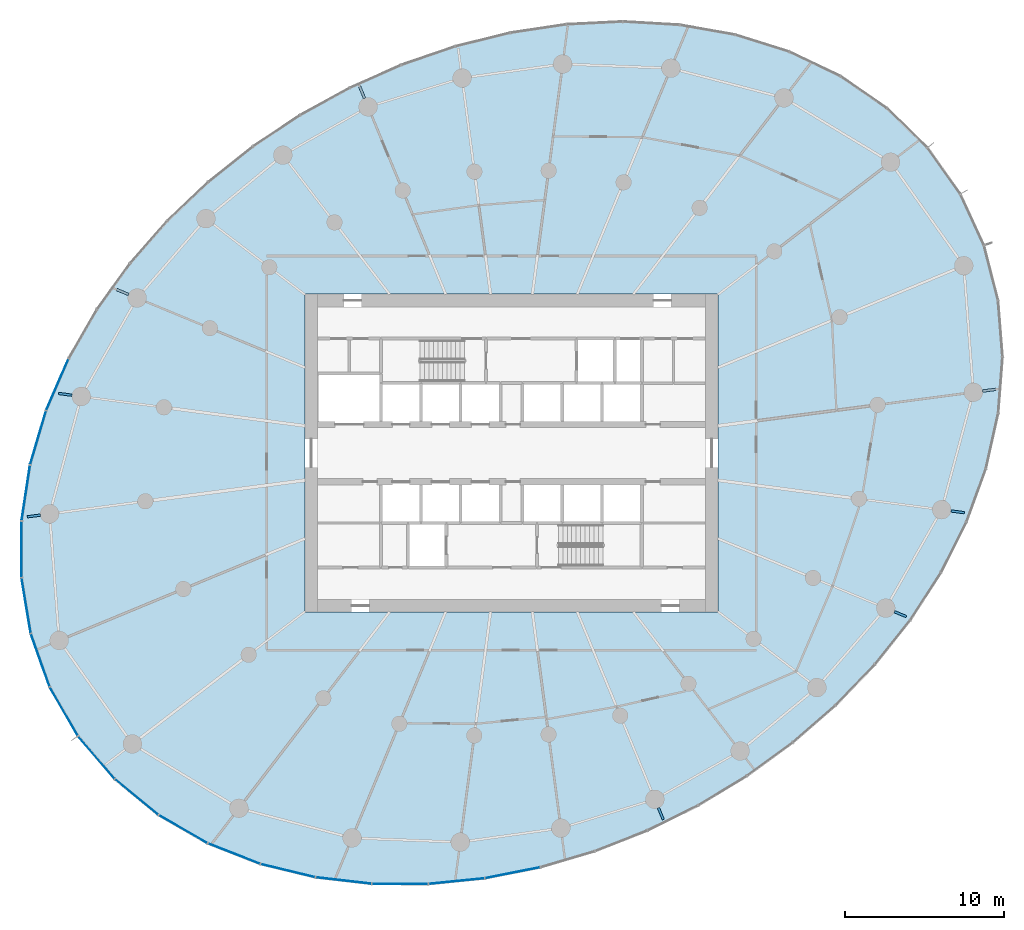
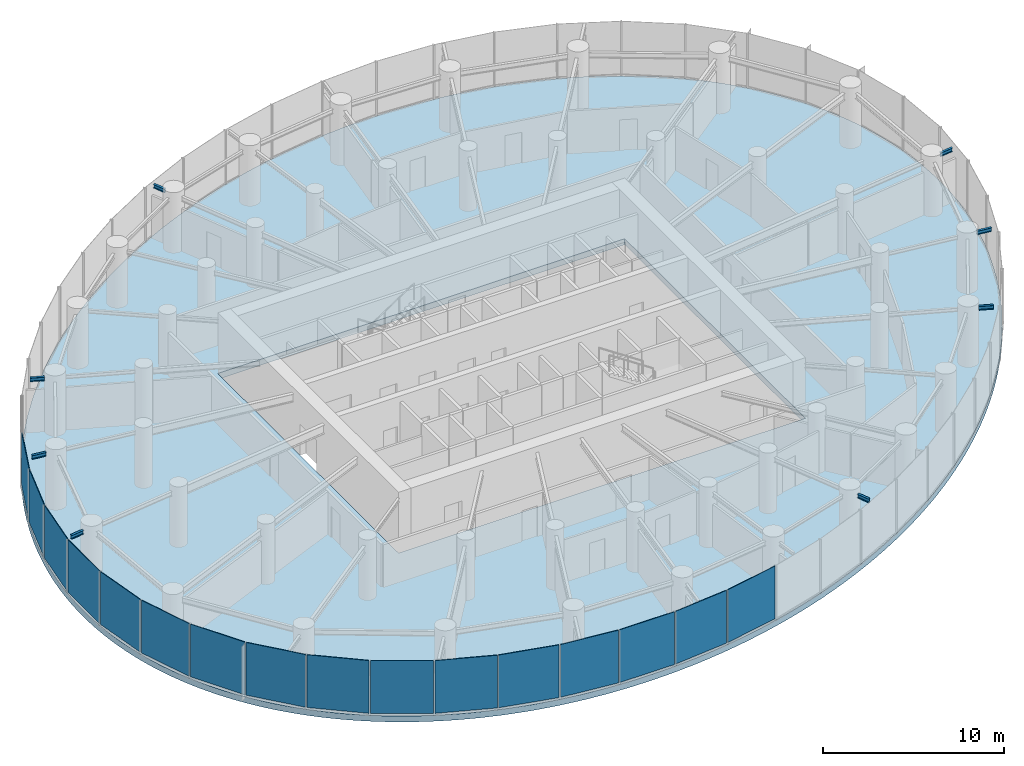
# One storey, part 8 of 17: 16 plates, 8 beams, 1 slab, 3 elements without a shape of their own.
"""IFC4 building model written with IfcOpenShell, lengths in metres."""

from ifc_helpers import new_model, si_unit, direction, frame, origin, origin_2d, place, context, subcontext, project, spatial, line, indexed_curve, rectangle, i_section, outline, extrude, source, transform, mapped, material, layer, layer_set, material_profile, profile_set, type_object, element, aggregate, save


model = new_model("IFC4")

# Units and contexts
model_context = context("Model", 3, precision=1e-05, world=origin(), true_north=direction((0.0, 1.0)))
body_context = subcontext(model_context, "Body", "Model", "MODEL_VIEW")
ifc_project = project(units=[si_unit("LENGTHUNIT", "METRE"), si_unit("AREAUNIT", "SQUARE_METRE"), si_unit("VOLUMEUNIT", "CUBIC_METRE"), si_unit("PLANEANGLEUNIT", "RADIAN"), si_unit("MASSUNIT", "GRAM", prefix="KILO")], contexts=[model_context])

# Site, building, storey
site_placement = place(None, origin())
site = spatial("IfcSite", under=ifc_project, at=site_placement, CompositionType="ELEMENT")
building_placement = place(site_placement, origin())
building = spatial("IfcBuilding", under=site, at=building_placement, Name="Spindrift Exchange Tower", CompositionType="ELEMENT")
storey_placement = place(building_placement, frame((0.0, 0.0, 120.800048828125)))
storey = spatial("IfcBuildingStorey", under=building, at=storey_placement, Name="L28", CompositionType="ELEMENT", Elevation=120.800048828125)

# Beams
ifc_material_1 = material(Name="Steel Grade 300", Category="steel")
ifc_material_profile = material_profile(ifc_material_1, i_section(OverallWidth=0.14599609375, OverallDepth=0.251953125, WebThickness=0.006103515625, FlangeThickness=0.008544921875, FilletRadius=0.011962890625, at=origin_2d()), Name="250UB31.4")
ifc_profile_set = profile_set([ifc_material_profile], Name="Steel Grade 300")
beam_type = type_object("IfcBeamType", Name="Cantilever Beam 250UB31.4 Steel Grade 300", PredefinedType="BEAM", material=ifc_profile_set)
shared_shape_1 = source(origin(), body_context, "Body", "SweptSolid", [
    extrude(i_section(OverallWidth=0.14599609375, OverallDepth=0.251953125, WebThickness=0.006103515625, FlangeThickness=0.008544921875, FilletRadius=0.011962890625, at=origin_2d()), origin(), (0.0, 0.0, 1.0), 0.83642578125),
])
for number, where, z_axis, x_axis, name in (
    (1, (81.63134765625, 51.90087890625, 3.573974609375), (0.991415510632, 0.130748939877, 0.0), (-0.130748939877, 0.991415510632, 0.0), "L28 cantilever beam R01T"),
    (2, (22.36865234375, 44.09912109375, 3.573974609375), (-0.991415510632, -0.130748939877, 0.0), (0.130748939877, -0.991415510632, 0.0), "L28 cantilever beam R13T"),
):
    element("IfcBeam", number, at=place(storey_placement, frame(where, z_axis=z_axis, x_axis=x_axis)), inside=storey, type_object=beam_type, Name=name, PredefinedType="BEAM", context=body_context, shape_type="MappedRepresentation", body=[
        mapped(shared_shape_1, transform((0.0, 0.0, 0.0), scale=1.0)),
    ])
shared_shape_2 = source(origin(), body_context, "Body", "SweptSolid", [
    extrude(i_section(OverallWidth=0.14599609375, OverallDepth=0.251953125, WebThickness=0.006103515625, FlangeThickness=0.008544921875, FilletRadius=0.011962890625, at=origin_2d()), origin(), (0.0, 0.0, 1.0), 0.7998046875),
])
for number, where, z_axis, x_axis, name in (
    (3, (42.75634765625, 70.31640625, 3.573974609375), (-0.382729163599, 0.923860588688, 0.0), (-0.923860588688, -0.382729163599, 0.0), "L28 cantilever beam R08T"),
    (4, (61.24365234375, 25.68359375, 3.573974609375), (0.382729163599, -0.923860588688, 0.0), (0.923860588688, 0.382729163599, 0.0), "L28 cantilever beam R20T"),
):
    element("IfcBeam", number, at=place(storey_placement, frame(where, z_axis=z_axis, x_axis=x_axis)), inside=storey, type_object=beam_type, Name=name, PredefinedType="BEAM", context=body_context, shape_type="MappedRepresentation", body=[
        mapped(shared_shape_2, transform((0.0, 0.0, 0.0), scale=1.0)),
    ])
shared_shape_3 = source(origin(), body_context, "Body", "SweptSolid", [
    extrude(i_section(OverallWidth=0.14599609375, OverallDepth=0.251953125, WebThickness=0.006103515625, FlangeThickness=0.008544921875, FilletRadius=0.011962890625, at=origin_2d()), origin(), (0.0, 0.0, 1.0), 0.820068359375),
])
for number, where, z_axis, x_axis, name in (
    (5, (27.91650390625, 57.975830078125, 3.573974609375), (-0.923911603284, 0.382605997493, 0.0), (-0.382605997493, -0.923911603284, 0.0), "L28 cantilever beam R11T"),
    (6, (76.08349609375, 38.024169921875, 3.573974609375), (0.923911603284, -0.382605997493, 0.0), (0.382605997493, 0.923911603284, 0.0), "L28 cantilever beam R23T"),
):
    element("IfcBeam", number, at=place(storey_placement, frame(where, z_axis=z_axis, x_axis=x_axis)), inside=storey, type_object=beam_type, Name=name, PredefinedType="BEAM", context=body_context, shape_type="MappedRepresentation", body=[
        mapped(shared_shape_3, transform((0.0, 0.0, 0.0), scale=1.0)),
    ])
shared_shape_4 = source(origin(), body_context, "Body", "SweptSolid", [
    extrude(i_section(OverallWidth=0.14599609375, OverallDepth=0.251953125, WebThickness=0.006103515625, FlangeThickness=0.008544921875, FilletRadius=0.011962890625, at=origin_2d()), origin(), (0.0, 0.0, 1.0), 0.85791015625),
])
for number, where, z_axis, x_axis, name in (
    (7, (24.360595703125, 51.638916015625, 3.573974609375), (-0.991469786328, 0.130336728513, 0.0), (-0.130336728513, -0.991469786328, 0.0), "L28 cantilever beam R12T"),
    (8, (79.639404296875, 44.361083984375, 3.573974609375), (0.991469786328, -0.130336728513, 0.0), (0.130336728513, 0.991469786328, 0.0), "L28 cantilever beam R24T"),
):
    element("IfcBeam", number, at=place(storey_placement, frame(where, z_axis=z_axis, x_axis=x_axis)), inside=storey, type_object=beam_type, Name=name, PredefinedType="BEAM", context=body_context, shape_type="MappedRepresentation", body=[
        mapped(shared_shape_4, transform((0.0, 0.0, 0.0), scale=1.0)),
    ])

# Slab
ifc_material_2 = material(Name="Concrete 50 MPa", Category="concrete")
ifc_layer_1 = layer(ifc_material_2, 0.39990234375)
ifc_layer_set_1 = layer_set([ifc_layer_1], Name="RC Floor Slab 400 Concrete 50 MPa")
slab_type = type_object("IfcSlabType", Name="RC Floor Slab 400 Concrete 50 MPa", PredefinedType="FLOOR", material=ifc_layer_set_1)
slab_placement = place(storey_placement, frame((0.0, 0.0, -0.400146484375)))
element("IfcSlab", 9, at=slab_placement, inside=storey, type_object=slab_type, Name="Floor slab L28", PredefinedType="FLOOR", context=body_context, shape_type="SweptSolid", body=[
    extrude(outline(indexed_curve([(80.233154296875, 64.293701171875), (79.974853515625, 64.728271484375), (79.705078125, 65.15576171875), (79.42431640625, 65.575927734375), (79.1328125, 65.98876953125), (78.83056640625, 66.393798828125), (78.517822265625, 66.791015625), (78.195068359375, 67.179931640625), (77.862548828125, 67.560302734375), (77.520263671875, 67.932373046875), (77.168701171875, 68.29541015625), (76.80810546875, 68.6494140625), (76.438720703125, 68.99462890625), (76.060791015625, 69.330322265625), (75.675048828125, 69.65673828125), (75.281494140625, 69.9736328125), (74.880126953125, 70.28125), (74.471923828125, 70.5791015625), (74.056640625, 70.8671875), (73.634765625, 71.1455078125), (73.206787109375, 71.414306640625), (72.772705078125, 71.673095703125), (72.3330078125, 71.92236328125), (71.887939453125, 72.161865234375), (71.437744140625, 72.3916015625), (70.982666015625, 72.611572265625), (70.52294921875, 72.82177734375), (70.05908203125, 73.0224609375), (69.59130859375, 73.213623046875), (69.11962890625, 73.395263671875), (68.644287109375, 73.5673828125), (67.684326171875, 73.883544921875), (67.199951171875, 74.027587890625), (66.223388671875, 74.288818359375), (65.731689453125, 74.405517578125), (64.7421875, 74.61279296875), (64.2451171875, 74.703369140625), (63.24609375, 74.858642578125), (62.7451171875, 74.923583984375), (61.739501953125, 75.0283203125), (61.23583984375, 75.068359375), (60.2265625, 75.12451171875), (59.721435546875, 75.140869140625), (58.710693359375, 75.14990234375), (57.699951171875, 75.12841796875), (57.195068359375, 75.106689453125), (56.6904296875, 75.077392578125), (55.682861328125, 74.9970703125), (55.179931640625, 74.9462890625), (54.176513671875, 74.823486328125), (53.67626953125, 74.751953125), (52.6787109375, 74.588134765625), (52.181884765625, 74.496337890625), (51.191650390625, 74.292724609375), (50.69873046875, 74.181396484375), (49.71728515625, 73.939208984375), (48.742431640625, 73.672119140625), (48.257568359375, 73.529296875), (47.29345703125, 73.2255859375), (46.814208984375, 73.064697265625), (46.337158203125, 72.89794921875), (45.389404296875, 72.546630859375), (44.918701171875, 72.3623046875), (43.984375, 71.976806640625), (43.520751953125, 71.775390625), (42.600830078125, 71.356201171875), (42.14501953125, 71.13818359375), (41.24072265625, 70.686279296875), (40.347900390625, 70.212646484375), (39.46630859375, 69.7177734375), (38.596923828125, 69.2021484375), (37.739990234375, 68.665771484375), (36.896240234375, 68.109130859375), (36.4794921875, 67.823486328125), (35.65625, 67.23681640625), (35.25, 66.93603515625), (34.847412109375, 66.63037109375), (34.0537109375, 66.004638671875), (33.275390625, 65.359619140625), (32.89208984375, 65.030029296875), (32.51318359375, 64.695556640625), (31.767578125, 64.0126953125), (31.401611328125, 63.66455078125), (30.6826171875, 62.9541015625), (29.98193359375, 62.225341796875), (29.638916015625, 61.854248046875), (28.96728515625, 61.0986328125), (28.638916015625, 60.71435546875), (27.998291015625, 59.9326171875), (27.685791015625, 59.535400390625), (27.07763671875, 58.727783203125), (26.781982421875, 58.31787109375), (26.20849609375, 57.485595703125), (25.9306640625, 57.063232421875), (25.658935546875, 56.63720703125), (25.135009765625, 55.772705078125), (24.63720703125, 54.89306640625), (24.3984375, 54.447509765625), (23.942138671875, 53.545654296875), (23.724609375, 53.08935546875), (23.3125, 52.166259765625), (23.117919921875, 51.69970703125), (22.752685546875, 50.75732421875), (22.582275390625, 50.281494140625), (22.2666015625, 49.3212890625), (22.1220703125, 48.8369140625), (21.986083984375, 48.35009765625), (21.74169921875, 47.369384765625), (21.535400390625, 46.3798828125), (21.446533203125, 45.88232421875), (21.367919921875, 45.383056640625), (21.29931640625, 44.88232421875), (21.240966796875, 44.380126953125), (21.193115234375, 43.877197265625), (21.156005859375, 43.373046875), (21.12939453125, 42.868408203125), (21.1142578125, 42.363037109375), (21.10986328125, 41.857666015625), (21.116943359375, 41.352294921875), (21.135498046875, 40.84716796875), (21.16552734375, 40.3427734375), (21.207275390625, 39.839111328125), (21.2607421875, 39.33642578125), (21.326416015625, 38.835205078125), (21.40380859375, 38.3359375), (21.493408203125, 37.83837890625), (21.59521484375, 37.343505859375), (21.708984375, 36.85107421875), (21.835205078125, 36.361572265625), (21.973876953125, 35.87548828125), (22.12451171875, 35.39306640625), (22.28759765625, 34.914794921875), (22.462890625, 34.440673828125), (22.650146484375, 33.97119140625), (22.849853515625, 33.5068359375), (23.061279296875, 33.0478515625), (23.284912109375, 32.594482421875), (23.52001953125, 32.147216796875), (23.766845703125, 31.706298828125), (24.025146484375, 31.271728515625), (24.294921875, 30.84423828125), (24.57568359375, 30.424072265625), (24.8671875, 30.01123046875), (25.16943359375, 29.606201171875), (25.482177734375, 29.208984375), (25.804931640625, 28.820068359375), (26.137451171875, 28.439697265625), (26.479736328125, 28.067626953125), (26.831298828125, 27.70458984375), (27.19189453125, 27.3505859375), (27.561279296875, 27.00537109375), (27.939208984375, 26.669677734375), (28.324951171875, 26.34326171875), (28.718505859375, 26.0263671875), (29.119873046875, 25.71875), (29.528076171875, 25.4208984375), (29.943359375, 25.1328125), (30.365234375, 24.8544921875), (30.793212890625, 24.585693359375), (31.227294921875, 24.326904296875), (31.6669921875, 24.07763671875), (32.112060546875, 23.838134765625), (32.562255859375, 23.6083984375), (33.017333984375, 23.388427734375), (33.47705078125, 23.17822265625), (33.94091796875, 22.9775390625), (34.40869140625, 22.786376953125), (34.88037109375, 22.604736328125), (35.355712890625, 22.4326171875), (36.315673828125, 22.116455078125), (36.800048828125, 21.972412109375), (37.776611328125, 21.711181640625), (38.268310546875, 21.594482421875), (39.2578125, 21.38720703125), (39.7548828125, 21.296630859375), (40.75390625, 21.141357421875), (41.2548828125, 21.076416015625), (42.260498046875, 20.9716796875), (42.76416015625, 20.931640625), (43.7734375, 20.87548828125), (44.278564453125, 20.859130859375), (45.289306640625, 20.85009765625), (46.300048828125, 20.87158203125), (46.804931640625, 20.893310546875), (47.3095703125, 20.922607421875), (48.317138671875, 21.0029296875), (48.820068359375, 21.0537109375), (49.823486328125, 21.176513671875), (50.32373046875, 21.248046875), (51.3212890625, 21.411865234375), (51.818115234375, 21.503662109375), (52.808349609375, 21.707275390625), (53.30126953125, 21.818603515625), (54.28271484375, 22.060791015625), (55.257568359375, 22.327880859375), (55.742431640625, 22.470703125), (56.70654296875, 22.7744140625), (57.185791015625, 22.935302734375), (57.662841796875, 23.10205078125), (58.610595703125, 23.453369140625), (59.081298828125, 23.6376953125), (60.015625, 24.023193359375), (60.479248046875, 24.224609375), (61.399169921875, 24.643798828125), (61.85498046875, 24.86181640625), (62.75927734375, 25.313720703125), (63.652099609375, 25.787353515625), (64.53369140625, 26.2822265625), (65.403076171875, 26.7978515625), (66.260009765625, 27.334228515625), (67.103759765625, 27.890869140625), (67.5205078125, 28.176513671875), (68.34375, 28.76318359375), (68.75, 29.06396484375), (69.152587890625, 29.36962890625), (69.9462890625, 29.995361328125), (70.724609375, 30.640380859375), (71.10791015625, 30.969970703125), (71.48681640625, 31.304443359375), (72.232421875, 31.9873046875), (72.598388671875, 32.33544921875), (73.3173828125, 33.0458984375), (74.01806640625, 33.774658203125), (74.361083984375, 34.145751953125), (75.03271484375, 34.9013671875), (75.361083984375, 35.28564453125), (76.001708984375, 36.0673828125), (76.314208984375, 36.464599609375), (76.92236328125, 37.272216796875), (77.218017578125, 37.68212890625), (77.79150390625, 38.514404296875), (78.0693359375, 38.936767578125), (78.341064453125, 39.36279296875), (78.864990234375, 40.227294921875), (79.36279296875, 41.10693359375), (79.6015625, 41.552490234375), (80.057861328125, 42.454345703125), (80.275390625, 42.91064453125), (80.6875, 43.833740234375), (80.882080078125, 44.30029296875), (81.247314453125, 45.24267578125), (81.417724609375, 45.718505859375), (81.7333984375, 46.6787109375), (81.8779296875, 47.1630859375), (82.013916015625, 47.64990234375), (82.25830078125, 48.630615234375), (82.464599609375, 49.6201171875), (82.553466796875, 50.11767578125), (82.632080078125, 50.616943359375), (82.70068359375, 51.11767578125), (82.759033203125, 51.619873046875), (82.806884765625, 52.122802734375), (82.843994140625, 52.626953125), (82.87060546875, 53.131591796875), (82.8857421875, 53.636962890625), (82.89013671875, 54.142333984375), (82.883056640625, 54.647705078125), (82.864501953125, 55.15283203125), (82.83447265625, 55.6572265625), (82.792724609375, 56.160888671875), (82.7392578125, 56.66357421875), (82.673583984375, 57.164794921875), (82.59619140625, 57.6640625), (82.506591796875, 58.16162109375), (82.40478515625, 58.656494140625), (82.291015625, 59.14892578125), (82.164794921875, 59.638427734375), (82.026123046875, 60.12451171875), (81.87548828125, 60.60693359375), (81.71240234375, 61.085205078125), (81.537109375, 61.559326171875), (81.349853515625, 62.02880859375), (81.150146484375, 62.4931640625), (80.938720703125, 62.9521484375), (80.715087890625, 63.405517578125), (80.47998046875, 63.852783203125)], segments=[line(1, 2, 3, 4, 5, 6, 7, 8, 9, 10, 11, 12, 13, 14, 15, 16, 17, 18, 19, 20, 21, 22, 23, 24, 25, 26, 27, 28, 29, 30, 31, 32, 33, 34, 35, 36, 37, 38, 39, 40, 41, 42, 43, 44, 45, 46, 47, 48, 49, 50, 51, 52, 53, 54, 55, 56, 57, 58, 59, 60, 61, 62, 63, 64, 65, 66, 67, 68, 69, 70, 71, 72, 73, 74, 75, 76, 77, 78, 79, 80, 81, 82, 83, 84, 85, 86, 87, 88, 89, 90, 91, 92, 93, 94, 95, 96, 97, 98, 99, 100, 101, 102, 103, 104, 105, 106, 107, 108, 109, 110, 111, 112, 113, 114, 115, 116, 117, 118, 119, 120, 121, 122, 123, 124, 125, 126, 127, 128, 129, 130, 131, 132, 133, 134, 135, 136, 137, 138, 139, 140, 141, 142, 143, 144, 145, 146, 147, 148, 149, 150, 151, 152, 153, 154, 155, 156, 157, 158, 159, 160, 161, 162, 163, 164, 165, 166, 167, 168, 169, 170, 171, 172, 173, 174, 175, 176, 177, 178, 179, 180, 181, 182, 183, 184, 185, 186, 187, 188, 189, 190, 191, 192, 193, 194, 195, 196, 197, 198, 199, 200, 201, 202, 203, 204, 205, 206, 207, 208, 209, 210, 211, 212, 213, 214, 215, 216, 217, 218, 219, 220, 221, 222, 223, 224, 225, 226, 227, 228, 229, 230, 231, 232, 233, 234, 235, 236, 237, 238, 239, 240, 241, 242, 243, 244, 245, 246, 247, 248, 249, 250, 251, 252, 253, 254, 255, 256, 257, 258, 259, 260, 261, 262, 263, 264, 265, 266, 267, 268, 269, 270, 271, 272, 273, 274, 275, 276, 1)], self_intersect=False), holes=[indexed_curve([(39.0, 38.0), (65.0, 38.0), (65.0, 58.0), (39.0, 58.0)], segments=[line(1, 2, 3, 4, 1)], self_intersect=False)]), origin(), (0.0, 0.0, 1.0), 0.400146484375),
])

# Curtain wall, plate
ifc_material_3 = material(Name="Fritted laminated glass with bronze frame", Category="glass")
ifc_layer_2 = layer(ifc_material_3, 0.18994140625)
ifc_layer_set_2 = layer_set([ifc_layer_2], Name="ZONE 2 BRONZE FRITTED WALL")
curtain_wall_type = type_object("IfcCurtainWallType", Name="ZONE 2 BRONZE FRITTED WALL", PredefinedType="NOTDEFINED", material=ifc_layer_set_2)
curtain_wall_1_placement = place(storey_placement, origin())
curtain_wall_1 = element("IfcCurtainWall", 10, at=curtain_wall_1_placement, inside=storey, type_object=curtain_wall_type, Name="L28 Zone 2 Bronze Fritted Wall run 6", PredefinedType="NOTDEFINED")
ifc_material_4 = material(Name="Bronze fritted laminated glass, close frit", Category="glass")
ifc_layer_3 = layer(ifc_material_4, 0.033935546875)
ifc_layer_set_3 = layer_set([ifc_layer_3], Name="ZONE 2 BRONZE FRITTED WALL PANEL CLOSE FRIT 300")
plate_type_1 = type_object("IfcPlateType", Name="ZONE 2 BRONZE FRITTED WALL PANEL CLOSE FRIT 300", PredefinedType="CURTAIN_PANEL", material=ifc_layer_set_3)
shared_shape_5 = source(origin(), body_context, "Body", "SweptSolid", [
    extrude(rectangle(XDim=3.491455078125, YDim=0.033935546875, at=origin_2d()), origin(), (0.0, 0.0, 1.0), 3.56005859375),
])
plate_1_placement = place(storey_placement, frame((52.072509765625, 21.595947265625, 0.139892578125), z_axis=(0.0, 0.0, 1.0), x_axis=(0.980794813144, 0.195042391572, 0.0)))
plate_1 = element("IfcPlate", 11, at=plate_1_placement, type_object=plate_type_1, Name="L28 panel CW-2.35", PredefinedType="CURTAIN_PANEL", context=body_context, shape_type="MappedRepresentation", body=[
    mapped(shared_shape_5, transform((0.0, 0.0, 0.0), scale=1.0)),
])

# Curtain wall, plates
curtain_wall_2_placement = place(storey_placement, origin())
curtain_wall_2 = element("IfcCurtainWall", 12, at=curtain_wall_2_placement, inside=storey, type_object=curtain_wall_type, Name="L28 Zone 2 Bronze Fritted Wall run 5", PredefinedType="NOTDEFINED")
ifc_layer_4 = layer(ifc_material_4, 0.033935546875)
ifc_layer_set_4 = layer_set([ifc_layer_4], Name="ZONE 2 BRONZE FRITTED WALL PANEL CLOSE FRIT 420")
plate_type_2 = type_object("IfcPlateType", Name="ZONE 2 BRONZE FRITTED WALL PANEL CLOSE FRIT 420", PredefinedType="CURTAIN_PANEL", material=ifc_layer_set_4)
shared_shape_6 = source(origin(), body_context, "Body", "SweptSolid", [
    extrude(rectangle(XDim=3.48779296875, YDim=0.033935546875, at=origin_2d()), origin(), (0.0, 0.0, 1.0), 3.56005859375),
])
plate_2_placement = place(storey_placement, frame((23.838134765625, 31.747314453125, 0.139892578125), z_axis=(0.0, 0.0, 1.0), x_axis=(0.499845819132, -0.866114401853, 0.0)))
plate_2 = element("IfcPlate", 13, at=plate_2_placement, type_object=plate_type_2, Name="L28 panel CW-2.26", PredefinedType="CURTAIN_PANEL", context=body_context, shape_type="MappedRepresentation", body=[
    mapped(shared_shape_6, transform((0.0, 0.0, 0.0), scale=1.0)),
])
plate_3_placement = place(storey_placement, frame((25.885498046875, 28.849853515625, 0.139892578125), z_axis=(0.0, 0.0, 1.0), x_axis=(0.649421504759, -0.76042863515, 0.0)))
plate_3 = element("IfcPlate", 14, at=plate_3_placement, type_object=plate_type_2, Name="L28 panel CW-2.27", PredefinedType="CURTAIN_PANEL", context=body_context, shape_type="MappedRepresentation", body=[
    mapped(shared_shape_6, transform((0.0, 0.0, 0.0), scale=1.0)),
])
ifc_layer_5 = layer(ifc_material_4, 0.033935546875)
ifc_layer_set_5 = layer_set([ifc_layer_5], Name="ZONE 2 BRONZE FRITTED WALL PANEL CLOSE FRIT 540")
plate_type_3 = type_object("IfcPlateType", Name="ZONE 2 BRONZE FRITTED WALL PANEL CLOSE FRIT 540", PredefinedType="CURTAIN_PANEL", material=ifc_layer_set_5)
shared_shape_7 = source(origin(), body_context, "Body", "SweptSolid", [
    extrude(rectangle(XDim=3.48779296875, YDim=0.033935546875, at=origin_2d()), origin(), (0.0, 0.0, 1.0), 3.56005859375),
])
plate_4_placement = place(storey_placement, frame((22.353759765625, 34.9697265625, 0.139892578125), z_axis=(0.0, 0.0, 1.0), x_axis=(0.333495894542, -0.942751551748, 0.0)))
plate_4 = element("IfcPlate", 15, at=plate_4_placement, type_object=plate_type_3, Name="L28 panel CW-2.25", PredefinedType="CURTAIN_PANEL", context=body_context, shape_type="MappedRepresentation", body=[
    mapped(shared_shape_7, transform((0.0, 0.0, 0.0), scale=1.0)),
])
shared_shape_8 = source(origin(), body_context, "Body", "SweptSolid", [
    extrude(rectangle(XDim=3.489013671875, YDim=0.033935546875, at=origin_2d()), origin(), (0.0, 0.0, 1.0), 3.56005859375),
])
plate_5_placement = place(storey_placement, frame((31.339599609375, 24.3427734375, 0.139892578125), z_axis=(0.0, 0.0, 1.0), x_axis=(0.866144061776, -0.499794421988, 0.0)))
plate_5 = element("IfcPlate", 16, at=plate_5_placement, type_object=plate_type_2, Name="L28 panel CW-2.29", PredefinedType="CURTAIN_PANEL", context=body_context, shape_type="MappedRepresentation", body=[
    mapped(shared_shape_8, transform((0.0, 0.0, 0.0), scale=1.0)),
])

# Curtain wall, plate
curtain_wall_3_placement = place(storey_placement, origin())
curtain_wall_3 = element("IfcCurtainWall", 17, at=curtain_wall_3_placement, inside=storey, type_object=curtain_wall_type, Name="L28 Zone 2 Bronze Fritted Wall run 4", PredefinedType="NOTDEFINED")
shared_shape_9 = source(origin(), body_context, "Body", "SweptSolid", [
    extrude(rectangle(XDim=3.48974609375, YDim=0.033935546875, at=origin_2d()), origin(), (0.0, 0.0, 1.0), 3.56005859375),
])
plate_6_placement = place(storey_placement, frame((21.4482421875, 45.4912109375, 0.139892578125), z_axis=(0.0, 0.0, 1.0), x_axis=(-0.14994259723, -0.988694703908, 0.0)))
plate_6 = element("IfcPlate", 18, at=plate_6_placement, type_object=plate_type_3, Name="L28 panel CW-2.22", PredefinedType="CURTAIN_PANEL", context=body_context, shape_type="MappedRepresentation", body=[
    mapped(shared_shape_9, transform((0.0, 0.0, 0.0), scale=1.0)),
])

# Plate
plate_7_placement = place(storey_placement, frame((34.54248046875, 22.802001953125, 0.139892578125), z_axis=(0.0, 0.0, 1.0), x_axis=(0.93107491949, -0.364828033869, 0.0)))
plate_7 = element("IfcPlate", 19, at=plate_7_placement, type_object=plate_type_3, Name="L28 panel CW-2.30", PredefinedType="CURTAIN_PANEL", context=body_context, shape_type="MappedRepresentation", body=[
    mapped(shared_shape_9, transform((0.0, 0.0, 0.0), scale=1.0)),
])

shared_shape_10 = source(origin(), body_context, "Body", "SweptSolid", [
    extrude(rectangle(XDim=3.49072265625, YDim=0.033935546875, at=origin_2d()), origin(), (0.0, 0.0, 1.0), 3.56005859375),
])
plate_8_placement = place(storey_placement, frame((41.438232421875, 21.107421875, 0.139892578125), z_axis=(0.0, 0.0, 1.0), x_axis=(0.993393011087, -0.114762038691, 0.0)))
plate_8 = element("IfcPlate", 20, at=plate_8_placement, type_object=plate_type_3, Name="L28 panel CW-2.32", PredefinedType="CURTAIN_PANEL", context=body_context, shape_type="MappedRepresentation", body=[
    mapped(shared_shape_10, transform((0.0, 0.0, 0.0), scale=1.0)),
])

shared_shape_11 = source(origin(), body_context, "Body", "SweptSolid", [
    extrude(rectangle(XDim=3.4912109375, YDim=0.033935546875, at=origin_2d()), origin(), (0.0, 0.0, 1.0), 3.56005859375),
])
plate_9_placement = place(storey_placement, frame((48.549560546875, 21.070068359375, 0.139892578125), z_axis=(0.0, 0.0, 1.0), x_axis=(0.994999595521, 0.099878951299, 0.0)))
plate_9 = element("IfcPlate", 21, at=plate_9_placement, type_object=plate_type_2, Name="L28 panel CW-2.34", PredefinedType="CURTAIN_PANEL", context=body_context, shape_type="MappedRepresentation", body=[
    mapped(shared_shape_11, transform((0.0, 0.0, 0.0), scale=1.0)),
])

shared_shape_12 = source(origin(), body_context, "Body", "SweptSolid", [
    extrude(rectangle(XDim=3.489013671875, YDim=0.033935546875, at=origin_2d()), origin(), (0.0, 0.0, 1.0), 3.56005859375),
])
plate_10_placement = place(storey_placement, frame((21.179931640625, 41.94677734375, 0.139892578125), z_axis=(0.0, 0.0, 1.0), x_axis=(-0.000589921253, -0.999999825996, 0.0)))
plate_10 = element("IfcPlate", 22, at=plate_10_placement, type_object=plate_type_3, Name="L28 panel CW-2.23", PredefinedType="CURTAIN_PANEL", context=body_context, shape_type="MappedRepresentation", body=[
    mapped(shared_shape_12, transform((0.0, 0.0, 0.0), scale=1.0)),
])

shared_shape_13 = source(origin(), body_context, "Body", "SweptSolid", [
    extrude(rectangle(XDim=3.490234375, YDim=0.033935546875, at=origin_2d()), origin(), (0.0, 0.0, 1.0), 3.56005859375),
])
plate_11_placement = place(storey_placement, frame((22.21875, 48.96337890625, 0.139892578125), z_axis=(0.0, 0.0, 1.0), x_axis=(-0.28227783211, -0.959332698025, 0.0)))
plate_11 = element("IfcPlate", 23, at=plate_11_placement, type_object=plate_type_3, Name="L28 panel CW-2.21", PredefinedType="CURTAIN_PANEL", context=body_context, shape_type="MappedRepresentation", body=[
    mapped(shared_shape_13, transform((0.0, 0.0, 0.0), scale=1.0)),
])

shared_shape_14 = source(origin(), body_context, "Body", "SweptSolid", [
    extrude(rectangle(XDim=3.49072265625, YDim=0.033935546875, at=origin_2d()), origin(), (0.0, 0.0, 1.0), 3.56005859375),
])
plate_12_placement = place(storey_placement, frame((23.430908203125, 52.309326171875, 0.139892578125), z_axis=(0.0, 0.0, 1.0), x_axis=(-0.397670007903, -0.917528508993, 0.0)))
plate_12 = element("IfcPlate", 24, at=plate_12_placement, type_object=plate_type_1, Name="L28 panel CW-2.20", PredefinedType="CURTAIN_PANEL", context=body_context, shape_type="MappedRepresentation", body=[
    mapped(shared_shape_14, transform((0.0, 0.0, 0.0), scale=1.0)),
])

shared_shape_15 = source(origin(), body_context, "Body", "SweptSolid", [
    extrude(rectangle(XDim=3.490234375, YDim=0.033935546875, at=origin_2d()), origin(), (0.0, 0.0, 1.0), 3.56005859375),
])
plate_13_placement = place(storey_placement, frame((37.9345703125, 21.73193359375, 0.139892578125), z_axis=(0.0, 0.0, 1.0), x_axis=(0.971869407672, -0.235520390691, 0.0)))
plate_13 = element("IfcPlate", 25, at=plate_13_placement, type_object=plate_type_2, Name="L28 panel CW-2.31", PredefinedType="CURTAIN_PANEL", context=body_context, shape_type="MappedRepresentation", body=[
    mapped(shared_shape_15, transform((0.0, 0.0, 0.0), scale=1.0)),
])

shared_shape_16 = source(origin(), body_context, "Body", "SweptSolid", [
    extrude(rectangle(XDim=3.490966796875, YDim=0.033935546875, at=origin_2d()), origin(), (0.0, 0.0, 1.0), 3.56005859375),
])
plate_14_placement = place(storey_placement, frame((44.9921875, 20.897216796875, 0.139892578125), z_axis=(0.0, 0.0, 1.0), x_axis=(0.999995330217, -0.003056066763, 0.0)))
plate_14 = element("IfcPlate", 26, at=plate_14_placement, type_object=plate_type_3, Name="L28 panel CW-2.33", PredefinedType="CURTAIN_PANEL", context=body_context, shape_type="MappedRepresentation", body=[
    mapped(shared_shape_16, transform((0.0, 0.0, 0.0), scale=1.0)),
])

aggregate(curtain_wall_1, [plate_13, plate_8, plate_14, plate_9, plate_1])

shared_shape_17 = source(origin(), body_context, "Body", "SweptSolid", [
    extrude(rectangle(XDim=3.48828125, YDim=0.033935546875, at=origin_2d()), origin(), (0.0, 0.0, 1.0), 3.56005859375),
])
plate_15_placement = place(storey_placement, frame((21.46923828125, 38.406982421875, 0.139892578125), z_axis=(0.0, 0.0, 1.0), x_axis=(0.162966075694, -0.986631673003, 0.0)))
plate_15 = element("IfcPlate", 27, at=plate_15_placement, type_object=plate_type_2, Name="L28 panel CW-2.24", PredefinedType="CURTAIN_PANEL", context=body_context, shape_type="MappedRepresentation", body=[
    mapped(shared_shape_17, transform((0.0, 0.0, 0.0), scale=1.0)),
])

aggregate(curtain_wall_3, [plate_12, plate_11, plate_6, plate_10, plate_15])

plate_16_placement = place(storey_placement, frame((28.419189453125, 26.364501953125, 0.139892578125), z_axis=(0.0, 0.0, 1.0), x_axis=(0.77276348361, -0.634694098286, 0.0)))
plate_16 = element("IfcPlate", 28, at=plate_16_placement, type_object=plate_type_2, Name="L28 panel CW-2.28", PredefinedType="CURTAIN_PANEL", context=body_context, shape_type="MappedRepresentation", body=[
    mapped(shared_shape_17, transform((0.0, 0.0, 0.0), scale=1.0)),
])

aggregate(curtain_wall_2, [plate_4, plate_2, plate_3, plate_16, plate_5, plate_7])

save(model, "model.ifc")
